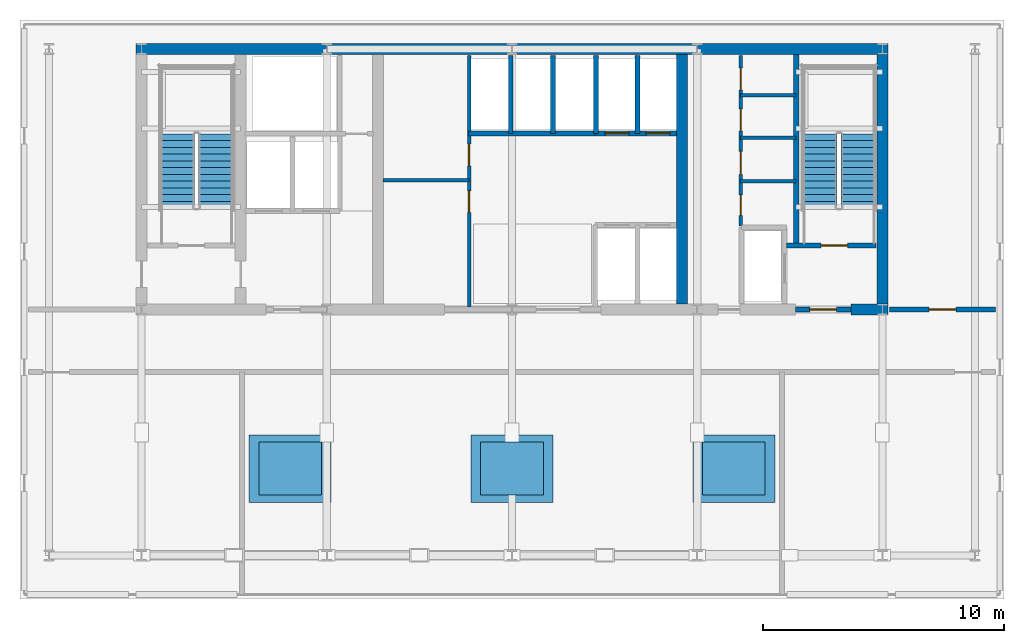
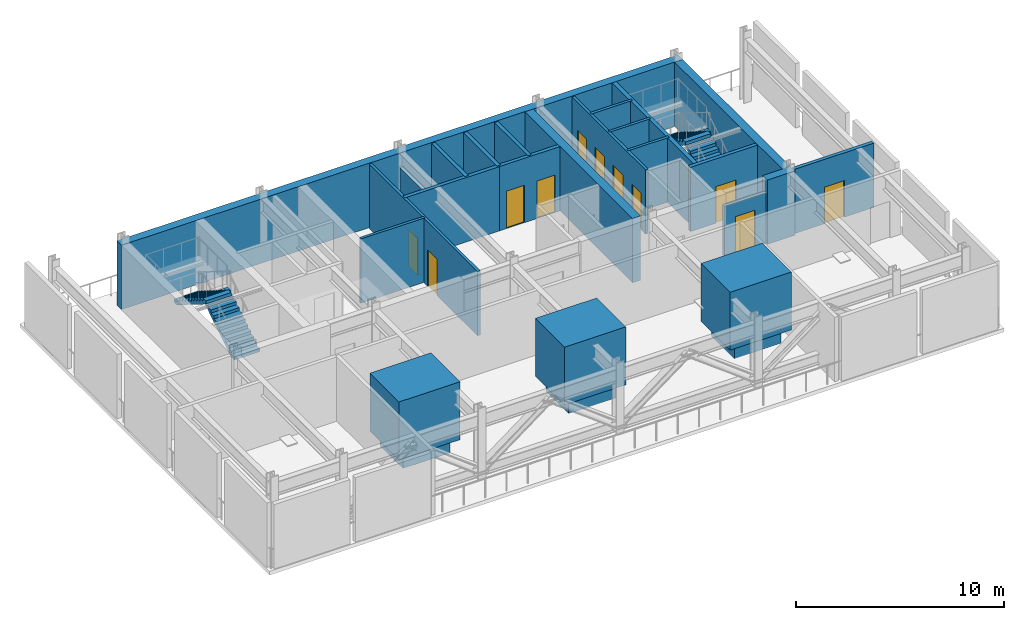
# One storey, part 3 of 8: 20 walls, 11 doors, 6 discrete accessories, 4 stair flights, 11 openings, 2 elements without a shape of their own.
"""IFC4 building model written with IfcOpenShell, lengths in metres."""

from ifc_helpers import new_model, si_unit, direction, frame, frame_2d, origin, origin_2d, place, context, subcontext, project, spatial, polyline, rectangle, outline, extrude, material, layer, layer_set, type_object, element, fill, aggregate, save


model = new_model("IFC4")

# Units and contexts
model_context = context("Model", 3, precision=1e-05, world=origin(), true_north=direction((0.0, 1.0)))
body_context = subcontext(model_context, "Body", "Model", "MODEL_VIEW")
ifc_project = project(units=[si_unit("LENGTHUNIT", "METRE"), si_unit("AREAUNIT", "SQUARE_METRE"), si_unit("VOLUMEUNIT", "CUBIC_METRE"), si_unit("PLANEANGLEUNIT", "RADIAN"), si_unit("MASSUNIT", "GRAM", prefix="KILO")], contexts=[model_context])

# Site, building, storey
site_placement = place(None, origin())
site = spatial("IfcSite", under=ifc_project, at=site_placement, CompositionType="ELEMENT")
building_placement = place(site_placement, origin())
building = spatial("IfcBuilding", under=site, at=building_placement, Name="Yelkora Congress Tower", CompositionType="ELEMENT")
storey_placement = place(building_placement, frame((0.0, 0.0, 196.10009765625)))
storey = spatial("IfcBuildingStorey", under=building, at=storey_placement, Name="L54", CompositionType="ELEMENT", Elevation=196.10009765625)

# Walls
ifc_material_1 = material(Name="Concrete C50/60", Category="concrete")
ifc_layer_1 = layer(ifc_material_1, 0.219970703125)
ifc_layer_set_1 = layer_set([ifc_layer_1], Name="Concrete C50/60")
wall_type_1 = type_object("IfcWallType", Name="WALL-CORE-INT-220", PredefinedType="SHEAR", material=ifc_layer_set_1)
wall_1_placement = place(storey_placement, frame((50.179931640625, 38.050048828125, 0.0), z_axis=(0.0, 0.0, 1.0), x_axis=(0.0, 1.0, 0.0)))
element("IfcWall", 1, at=wall_1_placement, inside=storey, type_object=wall_type_1, Name="L54 ST02 West Stair Shear Wall", PredefinedType="SHEAR", context=body_context, shape_type="SweptSolid", body=[
    extrude(rectangle(XDim=7.925048828125, YDim=0.219970703125, at=frame_2d((3.96240234375, 0.0))), origin(), (0.0, 0.0, 1.0), 3.77978515625),
])
ifc_material_2 = material(Name="Concrete C60/75", Category="concrete")
ifc_layer_2 = layer(ifc_material_2, 0.449951171875)
ifc_layer_set_2 = layer_set([ifc_layer_2], Name="Concrete C60/75")
wall_type_2 = type_object("IfcWallType", Name="WALL-CORE-INT-450", PredefinedType="SHEAR", material=ifc_layer_set_2)
wall_2_placement = place(storey_placement, frame((22.81494140625, 46.199951171875, 0.0), z_axis=(0.0, 0.0, 1.0), x_axis=(1.0, 0.0, 0.0)))
element("IfcWall", 2, at=wall_2_placement, inside=storey, type_object=wall_type_2, Name="L54 Rear Core North Shear Wall", PredefinedType="SHEAR", context=body_context, shape_type="SweptSolid", body=[
    extrude(rectangle(XDim=31.170166015625, YDim=0.449951171875, at=frame_2d((15.5849609375, 0.0))), origin(), (0.0, 0.0, 1.0), 3.77978515625),
])
wall_3_placement = place(storey_placement, frame((52.449951171875, 35.39990234375, 0.0), z_axis=(0.0, 0.0, 1.0), x_axis=(1.0, 0.0, 0.0)))
element("IfcWall", 3, at=wall_3_placement, inside=storey, type_object=wall_type_2, Name="L54 Rear Core South-East Shear Wall B", PredefinedType="SHEAR", context=body_context, shape_type="SweptSolid", body=[
    extrude(rectangle(XDim=1.53515625, YDim=0.449951171875, at=frame_2d((0.767578125, 0.0))), origin(), (0.0, 0.0, 1.0), 3.77978515625),
])
for number, where, z_axis, x_axis, name in (
    (4, (45.449951171875, 35.625, 0.0), (0.0, 0.0, 1.0), (0.0, 1.0, 0.0), "L54 Rear Core Cross Shear Wall C3"),
    (5, (53.760009765625, 35.625, 0.0), (0.0, 0.0, 1.0), (0.0, 1.0, 0.0), "L54 Rear Core Cross Shear Wall E"),
):
    element("IfcWall", number, at=place(storey_placement, frame(where, z_axis=z_axis, x_axis=x_axis)), inside=storey, type_object=wall_type_2, Name=name, PredefinedType="SHEAR", context=body_context, shape_type="SweptSolid", body=[
        extrude(rectangle(XDim=10.35009765625, YDim=0.449951171875, at=frame_2d((5.175048828125, 0.0))), origin(), (0.0, 0.0, 1.0), 3.77978515625),
    ])
ifc_material_3 = material(Name="Acoustic metal-stud gypsum partition", Category="gypsum")
ifc_layer_3 = layer(ifc_material_3, 0.14990234375)
ifc_layer_set_3 = layer_set([ifc_layer_3], Name="Acoustic metal-stud gypsum partition")
wall_type_3 = type_object("IfcWallType", Name="WALL-INT-150-NR", PredefinedType="PARTITIONING", material=ifc_layer_set_3)
for number, where, z_axis, x_axis, name in (
    (6, (47.8798828125, 40.719970703125, 0.0), (0.0, 0.0, 1.0), (1.0, 0.0, 0.0), "L54 Partition Wall 24"),
    (7, (47.8798828125, 42.52001953125, 0.0), (0.0, 0.0, 1.0), (1.0, 0.0, 0.0), "L54 Partition Wall 25"),
    (8, (47.8798828125, 44.280029296875, 0.0), (0.0, 0.0, 1.0), (1.0, 0.0, 0.0), "L54 Partition Wall 26"),
):
    element("IfcWall", number, at=place(storey_placement, frame(where, z_axis=z_axis, x_axis=x_axis)), inside=storey, type_object=wall_type_3, Name=name, PredefinedType="PARTITIONING", context=body_context, shape_type="SweptSolid", body=[
        extrude(rectangle(XDim=2.300048828125, YDim=0.14990234375, at=frame_2d((1.14990234375, 0.0))), origin(), (0.0, 0.0, 1.0), 3.77978515625),
    ])

# Wall, openings, doors
wall_4_placement = place(storey_placement, frame((47.8798828125, 38.85009765625, 0.0), z_axis=(0.0, 0.0, 1.0), x_axis=(0.0, 1.0, 0.0)))
wall_4 = element("IfcWall", 9, at=wall_4_placement, inside=storey, type_object=wall_type_3, Name="L54 Partition Wall 27", PredefinedType="PARTITIONING", context=body_context, shape_type="SweptSolid", body=[
    extrude(rectangle(XDim=7.06982421875, YDim=0.14990234375, at=frame_2d((3.534912109375, 0.0))), origin(), (0.0, 0.0, 1.0), 3.77978515625),
])
opening_1_placement = place(wall_4_placement, frame((0.449951171875, 0.0, 0.0)))
opening_1 = element("IfcOpeningElement", 10, at=opening_1_placement, cuts=wall_4, Name="Opening DR-085N", PredefinedType="OPENING", context=body_context, shape_type="SweptSolid", body=[
    extrude(rectangle(XDim=0.85009765625, YDim=2.14990234375, at=frame_2d((0.425048828125, 1.074951171875))), frame((0.0, 0.0849609375, 0.0), z_axis=(0.0, -1.0, 0.0), x_axis=(1.0, 0.0, 0.0)), (0.0, 0.0, 1.0), 0.169921875),
])
opening_2_placement = place(wall_4_placement, frame((2.14990234375, 0.0, 0.0)))
opening_2 = element("IfcOpeningElement", 11, at=opening_2_placement, cuts=wall_4, Name="Opening DR-095N", PredefinedType="OPENING", context=body_context, shape_type="SweptSolid", body=[
    extrude(rectangle(XDim=0.949951171875, YDim=2.14990234375, at=frame_2d((0.47509765625, 1.074951171875))), frame((0.0, 0.0849609375, 0.0), z_axis=(0.0, -1.0, 0.0), x_axis=(1.0, 0.0, 0.0)), (0.0, 0.0, 1.0), 0.169921875),
])
opening_3_placement = place(wall_4_placement, frame((3.949951171875, 0.0, 0.0)))
opening_3 = element("IfcOpeningElement", 12, at=opening_3_placement, cuts=wall_4, Name="Opening DR-090N", PredefinedType="OPENING", context=body_context, shape_type="SweptSolid", body=[
    extrude(rectangle(XDim=0.89990234375, YDim=2.14990234375, at=frame_2d((0.449951171875, 1.074951171875))), frame((0.0, 0.0849609375, 0.0), z_axis=(0.0, -1.0, 0.0), x_axis=(1.0, 0.0, 0.0)), (0.0, 0.0, 1.0), 0.169921875),
])
opening_4_placement = place(wall_4_placement, frame((5.64990234375, 0.0, 0.0)))
opening_4 = element("IfcOpeningElement", 13, at=opening_4_placement, cuts=wall_4, Name="Opening DR-090N", PredefinedType="OPENING", context=body_context, shape_type="SweptSolid", body=[
    extrude(rectangle(XDim=0.89990234375, YDim=2.14990234375, at=frame_2d((0.449951171875, 1.074951171875))), frame((0.0, 0.0849609375, 0.0), z_axis=(0.0, -1.0, 0.0), x_axis=(1.0, 0.0, 0.0)), (0.0, 0.0, 1.0), 0.169921875),
])
ifc_material_4 = material(Name="Laminate service store door leaf", Category="wood")
door_type_1 = type_object("IfcDoorType", Name="DOOR-INT-850", OperationType="NOTDEFINED", PredefinedType="DOOR", material=ifc_material_4)
door_1_placement = place(opening_1_placement, origin())
door_1 = element("IfcDoor", 14, at=door_1_placement, inside=storey, type_object=door_type_1, Name="L54 Janitor Room Door", OperationType="SINGLE_SWING_RIGHT", OverallHeight=2.14990234375, OverallWidth=0.85009765625, PredefinedType="DOOR", context=body_context, shape_type="SweptSolid", body=[
    extrude(rectangle(XDim=0.85009765625, YDim=2.14990234375, at=frame_2d((0.425048828125, 1.074951171875))), frame((0.0, 0.02490234375, 0.0), z_axis=(0.0, -1.0, 0.0), x_axis=(1.0, 0.0, 0.0)), (0.0, 0.0, 1.0), 0.050048828125),
])
fill(opening_1, door_1)
ifc_material_5 = material(Name="Moisture-resistant laminate door leaf", Category="wood")
door_type_2 = type_object("IfcDoorType", Name="DOOR-INT-900", OperationType="NOTDEFINED", PredefinedType="DOOR", material=ifc_material_5)
door_2_placement = place(opening_3_placement, origin())
door_2 = element("IfcDoor", 15, at=door_2_placement, inside=storey, type_object=door_type_2, Name="L54 Male WC Door", OperationType="SINGLE_SWING_RIGHT", OverallHeight=2.14990234375, OverallWidth=0.89990234375, PredefinedType="DOOR", context=body_context, shape_type="SweptSolid", body=[
    extrude(rectangle(XDim=0.89990234375, YDim=2.14990234375, at=frame_2d((0.449951171875, 1.074951171875))), frame((0.0, 0.02490234375, 0.0), z_axis=(0.0, -1.0, 0.0), x_axis=(1.0, 0.0, 0.0)), (0.0, 0.0, 1.0), 0.050048828125),
])
fill(opening_3, door_2)
door_3_placement = place(opening_4_placement, origin())
door_3 = element("IfcDoor", 16, at=door_3_placement, inside=storey, type_object=door_type_2, Name="L54 Female WC Door", OperationType="SINGLE_SWING_LEFT", OverallHeight=2.14990234375, OverallWidth=0.89990234375, PredefinedType="DOOR", context=body_context, shape_type="SweptSolid", body=[
    extrude(rectangle(XDim=0.89990234375, YDim=2.14990234375, at=frame_2d((0.449951171875, 1.074951171875))), frame((0.0, 0.02490234375, 0.0), z_axis=(0.0, -1.0, 0.0), x_axis=(1.0, 0.0, 0.0)), (0.0, 0.0, 1.0), 0.050048828125),
])
fill(opening_4, door_3)
ifc_material_6 = material(Name="Acoustic laminated timber office door", Category="wood")
door_type_3 = type_object("IfcDoorType", Name="DOOR-INT-950", OperationType="NOTDEFINED", PredefinedType="DOOR", material=ifc_material_6)
door_4_placement = place(opening_2_placement, origin())
door_4 = element("IfcDoor", 17, at=door_4_placement, inside=storey, type_object=door_type_3, Name="L54 Accessible WC Door", OperationType="SINGLE_SWING_LEFT", OverallHeight=2.14990234375, OverallWidth=0.949951171875, PredefinedType="DOOR", context=body_context, shape_type="SweptSolid", body=[
    extrude(rectangle(XDim=0.949951171875, YDim=2.14990234375, at=frame_2d((0.47509765625, 1.074951171875))), frame((0.0, 0.02490234375, 0.0), z_axis=(0.0, -1.0, 0.0), x_axis=(1.0, 0.0, 0.0)), (0.0, 0.0, 1.0), 0.050048828125),
])
fill(opening_2, door_4)

# Wall
ifc_material_7 = material(Name="Twin-stud fire-rated gypsum partition", Category="gypsum")
ifc_layer_4 = layer(ifc_material_7, 0.14990234375)
ifc_layer_set_4 = layer_set([ifc_layer_4], Name="Twin-stud fire-rated gypsum partition")
wall_type_4 = type_object("IfcWallType", Name="WALL-INT-150-R60", PredefinedType="PARTITIONING", material=ifc_layer_set_4)
wall_5_placement = place(storey_placement, frame((33.050048828125, 40.75, 0.0), z_axis=(0.0, 0.0, 1.0), x_axis=(1.0, 0.0, 0.0)))
element("IfcWall", 18, at=wall_5_placement, inside=storey, type_object=wall_type_4, Name="L54 Partition Wall 11", PredefinedType="PARTITIONING", context=body_context, shape_type="SweptSolid", body=[
    extrude(rectangle(XDim=3.570068359375, YDim=0.14990234375, at=frame_2d((1.78515625, 0.0))), origin(), (0.0, 0.0, 1.0), 3.77978515625),
])

# Wall, openings, doors
wall_6_placement = place(storey_placement, frame((36.6201171875, 35.5, 0.0), z_axis=(0.0, 0.0, 1.0), x_axis=(0.0, 1.0, 0.0)))
wall_6 = element("IfcWall", 19, at=wall_6_placement, inside=storey, type_object=wall_type_4, Name="L54 Partition Wall 12", PredefinedType="PARTITIONING", context=body_context, shape_type="SweptSolid", body=[
    extrude(rectangle(XDim=10.419921875, YDim=0.14990234375, at=frame_2d((5.2099609375, 0.0))), origin(), (0.0, 0.0, 1.0), 3.77978515625),
])
opening_5_placement = place(wall_6_placement, frame((3.919921875, 0.0, 0.0)))
opening_5 = element("IfcOpeningElement", 20, at=opening_5_placement, cuts=wall_6, Name="Opening DR-090F6", PredefinedType="OPENING", context=body_context, shape_type="SweptSolid", body=[
    extrude(rectangle(XDim=0.89990234375, YDim=2.14990234375, at=frame_2d((0.449951171875, 1.074951171875))), frame((0.0, 0.0849609375, 0.0), z_axis=(0.0, -1.0, 0.0), x_axis=(1.0, 0.0, 0.0)), (0.0, 0.0, 1.0), 0.169921875),
])
opening_6_placement = place(wall_6_placement, frame((5.85009765625, 0.0, 0.0)))
opening_6 = element("IfcOpeningElement", 21, at=opening_6_placement, cuts=wall_6, Name="Opening DR-090F6", PredefinedType="OPENING", context=body_context, shape_type="SweptSolid", body=[
    extrude(rectangle(XDim=0.89990234375, YDim=2.14990234375, at=frame_2d((0.449951171875, 1.074951171875))), frame((0.0, 0.0849609375, 0.0), z_axis=(0.0, -1.0, 0.0), x_axis=(1.0, 0.0, 0.0)), (0.0, 0.0, 1.0), 0.169921875),
])
ifc_material_8 = material(Name="Painted steel riser fire door leaf", Category="steel")
door_type_4 = type_object("IfcDoorType", Name="DOOR-FD60-900", OperationType="NOTDEFINED", PredefinedType="DOOR", material=ifc_material_8)
door_5_placement = place(opening_5_placement, origin())
door_5 = element("IfcDoor", 22, at=door_5_placement, inside=storey, type_object=door_type_4, Name="L54 Telecom Store Door", OperationType="SINGLE_SWING_LEFT", OverallHeight=2.14990234375, OverallWidth=0.89990234375, PredefinedType="DOOR", context=body_context, shape_type="SweptSolid", body=[
    extrude(rectangle(XDim=0.89990234375, YDim=2.14990234375, at=frame_2d((0.449951171875, 1.074951171875))), frame((0.0, 0.02490234375, 0.0), z_axis=(0.0, -1.0, 0.0), x_axis=(1.0, 0.0, 0.0)), (0.0, 0.0, 1.0), 0.050048828125),
])
fill(opening_5, door_5)
door_6_placement = place(opening_6_placement, origin())
door_6 = element("IfcDoor", 23, at=door_6_placement, inside=storey, type_object=door_type_4, Name="L54 Archive Store Door", OperationType="SINGLE_SWING_RIGHT", OverallHeight=2.14990234375, OverallWidth=0.89990234375, PredefinedType="DOOR", context=body_context, shape_type="SweptSolid", body=[
    extrude(rectangle(XDim=0.89990234375, YDim=2.14990234375, at=frame_2d((0.449951171875, 1.074951171875))), frame((0.0, 0.02490234375, 0.0), z_axis=(0.0, -1.0, 0.0), x_axis=(1.0, 0.0, 0.0)), (0.0, 0.0, 1.0), 0.050048828125),
])
fill(opening_6, door_6)

# Walls
ifc_material_9 = material(Name="Autoclaved aerated concrete blockwork", Category="masonry")
ifc_layer_5 = layer(ifc_material_9, 0.199951171875)
ifc_layer_set_5 = layer_set([ifc_layer_5], Name="Autoclaved aerated concrete blockwork")
wall_type_5 = type_object("IfcWallType", Name="WALL-INT-200-R120", PredefinedType="PARTITIONING", material=ifc_layer_set_5)
wall_7_placement = place(storey_placement, frame((36.60009765625, 42.699951171875, 0.0), z_axis=(0.0, 0.0, 1.0), x_axis=(1.0, 0.0, 0.0)))
element("IfcWall", 24, at=wall_7_placement, inside=storey, type_object=wall_type_5, Name="L54 Partition Wall 8", PredefinedType="PARTITIONING", context=body_context, shape_type="SweptSolid", body=[
    extrude(rectangle(XDim=5.25, YDim=0.199951171875, at=frame_2d((2.625, 0.0))), origin(), (0.0, 0.0, 1.0), 3.77978515625),
])
wall_8_placement = place(storey_placement, frame((38.35009765625, 42.699951171875, 0.0), z_axis=(0.0, 0.0, 1.0), x_axis=(0.0, 1.0, 0.0)))
element("IfcWall", 25, at=wall_8_placement, inside=storey, type_object=wall_type_5, Name="L54 Partition Wall 9", PredefinedType="PARTITIONING", context=body_context, shape_type="SweptSolid", body=[
    extrude(rectangle(XDim=3.219970703125, YDim=0.199951171875, at=frame_2d((1.60986328125, 0.0))), origin(), (0.0, 0.0, 1.0), 2.9609375),
])
wall_9_placement = place(storey_placement, frame((40.10009765625, 42.699951171875, 0.0), z_axis=(0.0, 0.0, 1.0), x_axis=(0.0, 1.0, 0.0)))
element("IfcWall", 26, at=wall_9_placement, inside=storey, type_object=wall_type_5, Name="L54 Partition Wall 10", PredefinedType="PARTITIONING", context=body_context, shape_type="SweptSolid", body=[
    extrude(rectangle(XDim=3.219970703125, YDim=0.199951171875, at=frame_2d((1.60986328125, 0.0))), origin(), (0.0, 0.0, 1.0), 3.77978515625),
])

# Wall, openings, doors
wall_10_placement = place(storey_placement, frame((41.85009765625, 42.699951171875, 0.0), z_axis=(0.0, 0.0, 1.0), x_axis=(1.0, 0.0, 0.0)))
wall_10 = element("IfcWall", 27, at=wall_10_placement, inside=storey, type_object=wall_type_5, Name="L54 Partition Wall 14", PredefinedType="PARTITIONING", context=body_context, shape_type="SweptSolid", body=[
    extrude(rectangle(XDim=3.369873046875, YDim=0.199951171875, at=frame_2d((1.68505859375, 0.0))), origin(), (0.0, 0.0, 1.0), 3.77978515625),
])
opening_7_placement = place(wall_10_placement, frame((0.39990234375, 0.0, 0.0)))
opening_7 = element("IfcOpeningElement", 28, at=opening_7_placement, cuts=wall_10, Name="Opening LD-PS10", PredefinedType="OPENING", context=body_context, shape_type="SweptSolid", body=[
    extrude(rectangle(XDim=1.0, YDim=2.199951171875, at=frame_2d((0.5, 1.10009765625))), frame((0.0, 0.10986328125, 0.0), z_axis=(0.0, -1.0, 0.0), x_axis=(1.0, 0.0, 0.0)), (0.0, 0.0, 1.0), 0.219970703125),
])
opening_8_placement = place(wall_10_placement, frame((2.10009765625, 0.0, 0.0)))
opening_8 = element("IfcOpeningElement", 29, at=opening_8_placement, cuts=wall_10, Name="Opening LD-PS10", PredefinedType="OPENING", context=body_context, shape_type="SweptSolid", body=[
    extrude(rectangle(XDim=1.0, YDim=2.199951171875, at=frame_2d((0.5, 1.10009765625))), frame((0.0, 0.10986328125, 0.0), z_axis=(0.0, -1.0, 0.0), x_axis=(1.0, 0.0, 0.0)), (0.0, 0.0, 1.0), 0.219970703125),
])
ifc_material_10 = material(Name="Champagne stainless steel landing door", Category="steel")
door_type_5 = type_object("IfcDoorType", Name="DOOR-LIFT-PAS-1000", OperationType="DOUBLE_DOOR_SLIDING", PredefinedType="DOOR", material=ifc_material_10)
door_7_placement = place(opening_7_placement, origin())
door_7 = element("IfcDoor", 30, at=door_7_placement, inside=storey, type_object=door_type_5, Name="Lift Landing Door LF-P7 L54", OperationType="DOUBLE_DOOR_SLIDING", OverallHeight=2.199951171875, OverallWidth=1.0, PredefinedType="DOOR", context=body_context, shape_type="SweptSolid", body=[
    extrude(rectangle(XDim=1.0, YDim=2.199951171875, at=frame_2d((0.5, 1.10009765625))), frame((0.0, 0.02490234375, 0.0), z_axis=(0.0, -1.0, 0.0), x_axis=(1.0, 0.0, 0.0)), (0.0, 0.0, 1.0), 0.050048828125),
])
fill(opening_7, door_7)
door_8_placement = place(opening_8_placement, origin())
door_8 = element("IfcDoor", 31, at=door_8_placement, inside=storey, type_object=door_type_5, Name="Lift Landing Door LF-P8 L54", OperationType="DOUBLE_DOOR_SLIDING", OverallHeight=2.199951171875, OverallWidth=1.0, PredefinedType="DOOR", context=body_context, shape_type="SweptSolid", body=[
    extrude(rectangle(XDim=1.0, YDim=2.199951171875, at=frame_2d((0.5, 1.10009765625))), frame((0.0, 0.02490234375, 0.0), z_axis=(0.0, -1.0, 0.0), x_axis=(1.0, 0.0, 0.0)), (0.0, 0.0, 1.0), 0.050048828125),
])
fill(opening_8, door_8)

# Walls
for number, where, z_axis, x_axis, name in (
    (32, (43.60009765625, 42.699951171875, 0.0), (0.0, 0.0, 1.0), (0.0, 1.0, 0.0), "L54 Partition Wall 16"),
    (33, (41.8798828125, 42.699951171875, 0.0), (0.0, 0.0, 1.0), (0.0, 1.0, 0.0), "L54 Partition Wall 18"),
):
    element("IfcWall", number, at=place(storey_placement, frame(where, z_axis=z_axis, x_axis=x_axis)), inside=storey, type_object=wall_type_5, Name=name, PredefinedType="PARTITIONING", context=body_context, shape_type="SweptSolid", body=[
        extrude(rectangle(XDim=3.219970703125, YDim=0.199951171875, at=frame_2d((1.60986328125, 0.0))), origin(), (0.0, 0.0, 1.0), 3.77978515625),
    ])

# Wall, opening, door
wall_11_placement = place(storey_placement, frame((49.780029296875, 38.050048828125, 0.0), z_axis=(0.0, 0.0, 1.0), x_axis=(1.0, 0.0, 0.0)))
wall_11 = element("IfcWall", 34, at=wall_11_placement, inside=storey, type_object=wall_type_5, Name="L54 Stair ST-02 Enclosure Wall", PredefinedType="PARTITIONING", context=body_context, shape_type="SweptSolid", body=[
    extrude(rectangle(XDim=3.719970703125, YDim=0.199951171875, at=frame_2d((1.85986328125, 0.0))), origin(), (0.0, 0.0, 1.0), 3.77978515625),
])
opening_9_placement = place(wall_11_placement, frame((1.436279296875, 0.0, 0.0)))
opening_9 = element("IfcOpeningElement", 35, at=opening_9_placement, cuts=wall_11, Name="Opening DR-110F9", PredefinedType="OPENING", context=body_context, shape_type="SweptSolid", body=[
    extrude(rectangle(XDim=1.10009765625, YDim=2.14990234375, at=frame_2d((0.550048828125, 1.074951171875))), frame((0.0, 0.10986328125, 0.0), z_axis=(0.0, -1.0, 0.0), x_axis=(1.0, 0.0, 0.0)), (0.0, 0.0, 1.0), 0.219970703125),
])
ifc_material_11 = material(Name="Galvanised steel fire door leaf", Category="steel")
door_type_6 = type_object("IfcDoorType", Name="DOOR-FD90-1100", OperationType="NOTDEFINED", PredefinedType="DOOR", material=ifc_material_11)
door_9_placement = place(opening_9_placement, origin())
door_9 = element("IfcDoor", 36, at=door_9_placement, inside=storey, type_object=door_type_6, Name="L54 Stair ST-02 Entry Door", OperationType="SINGLE_SWING_LEFT", OverallHeight=2.14990234375, OverallWidth=1.10009765625, PredefinedType="DOOR", context=body_context, shape_type="SweptSolid", body=[
    extrude(rectangle(XDim=1.10009765625, YDim=2.14990234375, at=frame_2d((0.550048828125, 1.074951171875))), frame((0.0, 0.02490234375, 0.0), z_axis=(0.0, -1.0, 0.0), x_axis=(1.0, 0.0, 0.0)), (0.0, 0.0, 1.0), 0.050048828125),
])
fill(opening_9, door_9)

wall_12_placement = place(storey_placement, frame((50.14990234375, 35.39990234375, 0.0), z_axis=(0.0, 0.0, 1.0), x_axis=(1.0, 0.0, 0.0)))
wall_12 = element("IfcWall", 37, at=wall_12_placement, inside=storey, type_object=wall_type_5, Name="L54 Partition Wall 20", PredefinedType="PARTITIONING", context=body_context, shape_type="SweptSolid", body=[
    extrude(rectangle(XDim=2.300048828125, YDim=0.199951171875, at=frame_2d((1.14990234375, 0.0))), origin(), (0.0, 0.0, 1.0), 2.9609375),
])
opening_10_placement = place(wall_12_placement, frame((0.60009765625, 0.0, 0.0)))
opening_10 = element("IfcOpeningElement", 38, at=opening_10_placement, cuts=wall_12, Name="Opening DR-110F9", PredefinedType="OPENING", context=body_context, shape_type="SweptSolid", body=[
    extrude(rectangle(XDim=1.10009765625, YDim=2.14990234375, at=frame_2d((0.550048828125, 1.074951171875))), frame((0.0, 0.10986328125, 0.0), z_axis=(0.0, -1.0, 0.0), x_axis=(1.0, 0.0, 0.0)), (0.0, 0.0, 1.0), 0.219970703125),
])
door_10_placement = place(opening_10_placement, origin())
door_10 = element("IfcDoor", 39, at=door_10_placement, inside=storey, type_object=door_type_6, Name="L54 East Stair Lobby Door", OperationType="SINGLE_SWING_RIGHT", OverallHeight=2.14990234375, OverallWidth=1.10009765625, PredefinedType="DOOR", context=body_context, shape_type="SweptSolid", body=[
    extrude(rectangle(XDim=1.10009765625, YDim=2.14990234375, at=frame_2d((0.550048828125, 1.074951171875))), frame((0.0, 0.02490234375, 0.0), z_axis=(0.0, -1.0, 0.0), x_axis=(1.0, 0.0, 0.0)), (0.0, 0.0, 1.0), 0.050048828125),
])
fill(opening_10, door_10)

wall_13_placement = place(storey_placement, frame((54.050048828125, 35.39990234375, 0.0), z_axis=(0.0, 0.0, 1.0), x_axis=(1.0, 0.0, 0.0)))
wall_13 = element("IfcWall", 40, at=wall_13_placement, inside=storey, type_object=wall_type_5, Name="L54 Partition Wall 29", PredefinedType="PARTITIONING", context=body_context, shape_type="SweptSolid", body=[
    extrude(rectangle(XDim=4.39990234375, YDim=0.199951171875, at=frame_2d((2.199951171875, 0.0))), origin(), (0.0, 0.0, 1.0), 3.77978515625),
])
opening_11_placement = place(wall_13_placement, frame((1.64990234375, 0.0, 0.0)))
opening_11 = element("IfcOpeningElement", 41, at=opening_11_placement, cuts=wall_13, Name="Opening DR-110F9", PredefinedType="OPENING", context=body_context, shape_type="SweptSolid", body=[
    extrude(rectangle(XDim=1.10009765625, YDim=2.14990234375, at=frame_2d((0.550048828125, 1.074951171875))), frame((0.0, 0.10986328125, 0.0), z_axis=(0.0, -1.0, 0.0), x_axis=(1.0, 0.0, 0.0)), (0.0, 0.0, 1.0), 0.219970703125),
])
door_11_placement = place(opening_11_placement, origin())
door_11 = element("IfcDoor", 42, at=door_11_placement, inside=storey, type_object=door_type_6, Name="L54 Interior Door 20", OperationType="SINGLE_SWING_RIGHT", OverallHeight=2.14990234375, OverallWidth=1.10009765625, PredefinedType="DOOR", context=body_context, shape_type="SweptSolid", body=[
    extrude(rectangle(XDim=1.10009765625, YDim=2.14990234375, at=frame_2d((0.550048828125, 1.074951171875))), frame((0.0, 0.02490234375, 0.0), z_axis=(0.0, -1.0, 0.0), x_axis=(1.0, 0.0, 0.0)), (0.0, 0.0, 1.0), 0.050048828125),
])
fill(opening_11, door_11)

# Stair, stair flights
ifc_material_12 = material(Name="Concrete C40/50", Category="concrete")
stair_type = type_object("IfcStairType", Name="STAIR-HT-1420-R24-175", PredefinedType="HALF_TURN_STAIR", material=ifc_material_12)
stair_1_placement = place(storey_placement, origin())
stair_1 = element("IfcStair", 43, at=stair_1_placement, inside=storey, type_object=stair_type, Name="West Core Protected Exit Stair ST-01 (L54)", PredefinedType="HALF_TURN_STAIR")
stair_flight_type = type_object("IfcStairFlightType", Name="FLIGHT-1420-N12-R175-G280", PredefinedType="STRAIGHT", material=ifc_material_12)
stair_flight_1_placement = place(storey_placement, frame((26.110107421875, 39.60009765625, 0.0), z_axis=(0.0, 0.0, 1.0), x_axis=(0.0, 1.0, 0.0)))
stair_flight_1 = element("IfcStairFlight", 44, at=stair_flight_1_placement, type_object=stair_flight_type, Name="ST-01 L54 Flight 1", NumberOfRisers=12, NumberOfTreads=11, PredefinedType="STRAIGHT", RiserHeight=0.175, TreadLength=0.28, context=body_context, shape_type="SweptSolid", body=[
    extrude(outline(polyline([(0.0, 0.0), (0.0, 0.175048828125), (0.280029296875, 0.175048828125), (0.280029296875, 0.35009765625), (0.56005859375, 0.35009765625), (0.56005859375, 0.52490234375), (0.840087890625, 0.52490234375), (0.840087890625, 0.699951171875), (1.1201171875, 0.699951171875), (1.1201171875, 0.875), (1.39990234375, 0.875), (1.39990234375, 1.050048828125), (1.679931640625, 1.050048828125), (1.679931640625, 1.22509765625), (1.9599609375, 1.22509765625), (1.9599609375, 1.39990234375), (2.239990234375, 1.39990234375), (2.239990234375, 1.574951171875), (2.52001953125, 1.574951171875), (2.52001953125, 1.75), (2.800048828125, 1.75), (2.800048828125, 1.925048828125), (3.080078125, 1.925048828125), (3.080078125, 2.10009765625), (3.080078125, 1.736328125), (0.3017578125, 0.0), (0.0, 0.0)])), frame((0.0, 0.7099609375, 0.0), z_axis=(0.0, -1.0, 0.0), x_axis=(1.0, 0.0, 0.0)), (0.0, 0.0, 1.0), 1.419921875),
])
stair_flight_2_placement = place(storey_placement, frame((24.530029296875, 42.679931640625, 2.099853515625), z_axis=(0.0, 0.0, 1.0), x_axis=(0.0, -1.0, 0.0)))
stair_flight_2 = element("IfcStairFlight", 45, at=stair_flight_2_placement, type_object=stair_flight_type, Name="ST-01 L54 Flight 2", NumberOfRisers=12, NumberOfTreads=11, PredefinedType="STRAIGHT", RiserHeight=0.175, TreadLength=0.28, context=body_context, shape_type="SweptSolid", body=[
    extrude(outline(polyline([(0.0, 0.0), (0.0, 0.175048828125), (0.280029296875, 0.175048828125), (0.280029296875, 0.35009765625), (0.56005859375, 0.35009765625), (0.56005859375, 0.52490234375), (0.840087890625, 0.52490234375), (0.840087890625, 0.699951171875), (1.1201171875, 0.699951171875), (1.1201171875, 0.875), (1.39990234375, 0.875), (1.39990234375, 1.050048828125), (1.679931640625, 1.050048828125), (1.679931640625, 1.22509765625), (1.9599609375, 1.22509765625), (1.9599609375, 1.39990234375), (2.239990234375, 1.39990234375), (2.239990234375, 1.574951171875), (2.52001953125, 1.574951171875), (2.52001953125, 1.75), (2.800048828125, 1.75), (2.800048828125, 1.925048828125), (3.080078125, 1.925048828125), (3.080078125, 2.10009765625), (3.080078125, 1.736328125), (0.3017578125, 0.0), (0.0, 0.0)])), frame((0.0, 0.7099609375, 0.0), z_axis=(0.0, -1.0, 0.0), x_axis=(1.0, 0.0, 0.0)), (0.0, 0.0, 1.0), 1.419921875),
])
aggregate(stair_1, [stair_flight_1, stair_flight_2])

stair_2_placement = place(storey_placement, origin())
stair_2 = element("IfcStair", 46, at=stair_2_placement, inside=storey, type_object=stair_type, Name="East Core Protected Exit Stair ST-02 (L54)", PredefinedType="HALF_TURN_STAIR")
stair_flight_3_placement = place(storey_placement, frame((52.75, 39.60009765625, 0.0), z_axis=(0.0, 0.0, 1.0), x_axis=(0.0, 1.0, 0.0)))
stair_flight_3 = element("IfcStairFlight", 47, at=stair_flight_3_placement, type_object=stair_flight_type, Name="ST-02 L54 Flight 1", NumberOfRisers=12, NumberOfTreads=11, PredefinedType="STRAIGHT", RiserHeight=0.175, TreadLength=0.28, context=body_context, shape_type="SweptSolid", body=[
    extrude(outline(polyline([(0.0, 0.0), (0.0, 0.175048828125), (0.280029296875, 0.175048828125), (0.280029296875, 0.35009765625), (0.56005859375, 0.35009765625), (0.56005859375, 0.52490234375), (0.840087890625, 0.52490234375), (0.840087890625, 0.699951171875), (1.1201171875, 0.699951171875), (1.1201171875, 0.875), (1.39990234375, 0.875), (1.39990234375, 1.050048828125), (1.679931640625, 1.050048828125), (1.679931640625, 1.22509765625), (1.9599609375, 1.22509765625), (1.9599609375, 1.39990234375), (2.239990234375, 1.39990234375), (2.239990234375, 1.574951171875), (2.52001953125, 1.574951171875), (2.52001953125, 1.75), (2.800048828125, 1.75), (2.800048828125, 1.925048828125), (3.080078125, 1.925048828125), (3.080078125, 2.10009765625), (3.080078125, 1.736328125), (0.3017578125, 0.0), (0.0, 0.0)])), frame((0.0, 0.7099609375, 0.0), z_axis=(0.0, -1.0, 0.0), x_axis=(1.0, 0.0, 0.0)), (0.0, 0.0, 1.0), 1.419921875),
])
stair_flight_4_placement = place(storey_placement, frame((51.169921875, 42.679931640625, 2.099853515625), z_axis=(0.0, 0.0, 1.0), x_axis=(0.0, -1.0, 0.0)))
stair_flight_4 = element("IfcStairFlight", 48, at=stair_flight_4_placement, type_object=stair_flight_type, Name="ST-02 L54 Flight 2", NumberOfRisers=12, NumberOfTreads=11, PredefinedType="STRAIGHT", RiserHeight=0.175, TreadLength=0.28, context=body_context, shape_type="SweptSolid", body=[
    extrude(outline(polyline([(0.0, 0.0), (0.0, 0.175048828125), (0.280029296875, 0.175048828125), (0.280029296875, 0.35009765625), (0.56005859375, 0.35009765625), (0.56005859375, 0.52490234375), (0.840087890625, 0.52490234375), (0.840087890625, 0.699951171875), (1.1201171875, 0.699951171875), (1.1201171875, 0.875), (1.39990234375, 0.875), (1.39990234375, 1.050048828125), (1.679931640625, 1.050048828125), (1.679931640625, 1.22509765625), (1.9599609375, 1.22509765625), (1.9599609375, 1.39990234375), (2.239990234375, 1.39990234375), (2.239990234375, 1.574951171875), (2.52001953125, 1.574951171875), (2.52001953125, 1.75), (2.800048828125, 1.75), (2.800048828125, 1.925048828125), (3.080078125, 1.925048828125), (3.080078125, 2.10009765625), (3.080078125, 1.736328125), (0.3017578125, 0.0), (0.0, 0.0)])), frame((0.0, 0.7099609375, 0.0), z_axis=(0.0, -1.0, 0.0), x_axis=(1.0, 0.0, 0.0)), (0.0, 0.0, 1.0), 1.419921875),
])
aggregate(stair_2, [stair_flight_3, stair_flight_4])

# Discrete accessories
ifc_material_13 = material(Name="Hot-dip galvanised steel S355J2", Category="steel")
ifc_layer_6 = layer(ifc_material_13, 0.85009765625)
ifc_layer_set_6 = layer_set([ifc_layer_6], Name="Hot-dip galvanised steel S355J2")
discrete_accessory_type_1 = type_object("IfcDiscreteAccessoryType", Name="ACC-BRACKET-PLINTH", PredefinedType="BRACKET", material=ifc_layer_set_6)
for number, where, z_axis, x_axis, name in (
    (49, (29.199951171875, 28.800048828125, -0.025146484375), (0.0, 0.0, 1.0), (1.0, 0.0, 0.0), "Turbine Structural Mounting Plinth 1"),
    (50, (38.39990234375, 28.800048828125, -0.025146484375), (0.0, 0.0, 1.0), (1.0, 0.0, 0.0), "Turbine Structural Mounting Plinth 2"),
    (51, (47.60009765625, 28.800048828125, -0.025146484375), (0.0, 0.0, 1.0), (1.0, 0.0, 0.0), "Turbine Structural Mounting Plinth 3"),
):
    element("IfcDiscreteAccessory", number, at=place(storey_placement, frame(where, z_axis=z_axis, x_axis=x_axis)), inside=storey, type_object=discrete_accessory_type_1, Name=name, PredefinedType="BRACKET", context=body_context, shape_type="SweptSolid", body=[
        extrude(rectangle(XDim=2.60009765625, YDim=2.199951171875, at=origin_2d()), origin(), (0.0, 0.0, 1.0), 0.85009765625),
    ])
ifc_material_14 = material(Name="Carbon-composite rotor in epoxy-coated steel shroud", Category="steel")
ifc_layer_7 = layer(ifc_material_14, 3.39990234375)
ifc_layer_set_7 = layer_set([ifc_layer_7], Name="Carbon-composite rotor in epoxy-coated steel shroud")
discrete_accessory_type_2 = type_object("IfcDiscreteAccessoryType", Name="ACC-WIND-TURBINE-3400", PredefinedType="USERDEFINED", material=ifc_layer_set_7)
for number, where, z_axis, x_axis, name in (
    (52, (29.199951171875, 28.800048828125, 0.800048828125), (0.0, 0.0, 1.0), (1.0, 0.0, 0.0), "Shrouded Venturi Wind Turbine WT-01"),
    (53, (38.39990234375, 28.800048828125, 0.800048828125), (0.0, 0.0, 1.0), (1.0, 0.0, 0.0), "Shrouded Venturi Wind Turbine WT-02"),
    (54, (47.60009765625, 28.800048828125, 0.800048828125), (0.0, 0.0, 1.0), (1.0, 0.0, 0.0), "Shrouded Venturi Wind Turbine WT-03"),
):
    element("IfcDiscreteAccessory", number, at=place(storey_placement, frame(where, z_axis=z_axis, x_axis=x_axis)), inside=storey, type_object=discrete_accessory_type_2, Name=name, ObjectType="WIND_TURBINE", PredefinedType="USERDEFINED", context=body_context, shape_type="SweptSolid", body=[
        extrude(rectangle(XDim=3.39990234375, YDim=2.800048828125, at=origin_2d()), origin(), (0.0, 0.0, 1.0), 3.39990234375),
    ])

save(model, "model.ifc")
